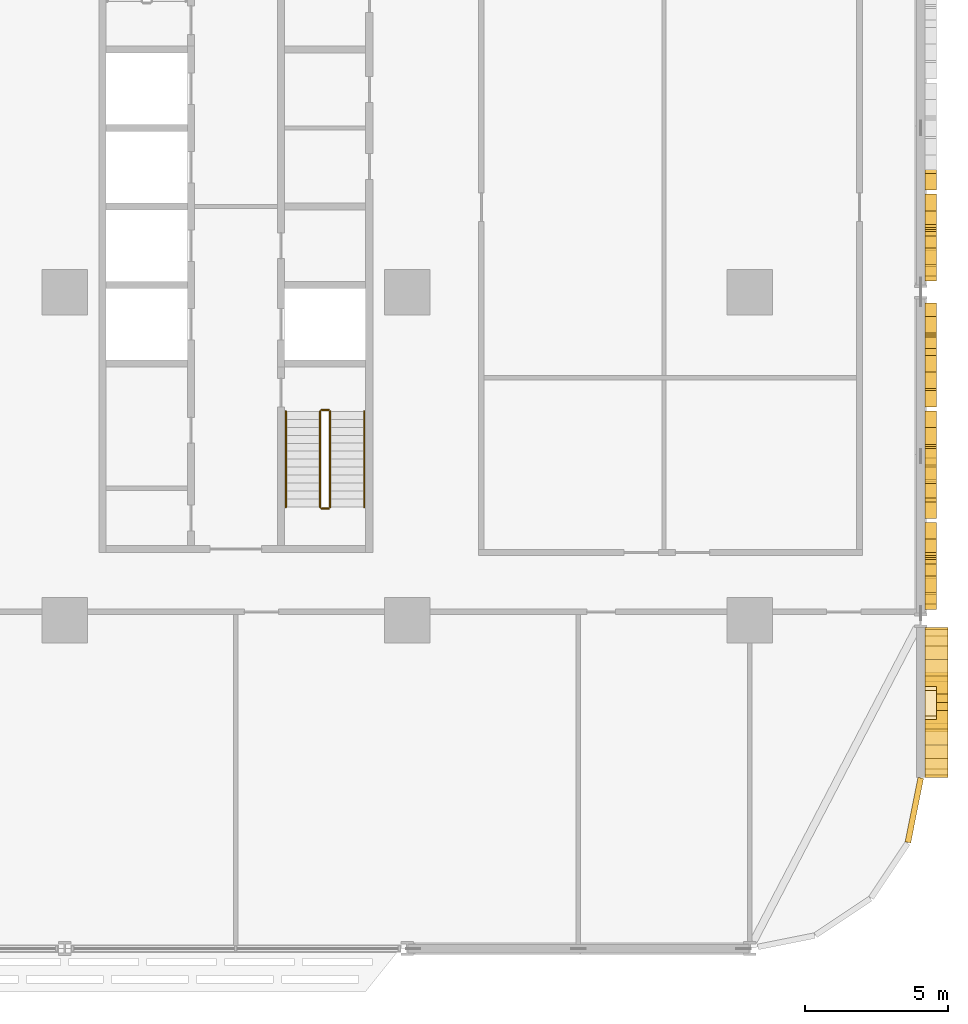
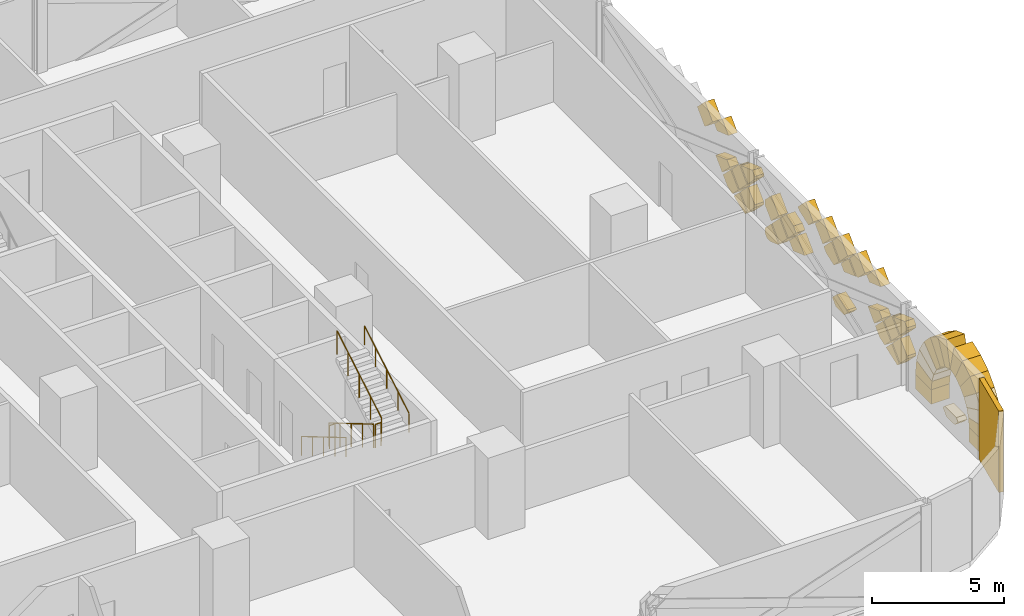
# One storey, part 27 of 29: 43 coverings, 6 railings.
"""IFC4 building model written with IfcOpenShell, lengths in metres."""

from ifc_helpers import new_model, si_unit, direction, frame, origin, origin_2d, place, context, subcontext, project, spatial, polyline, rectangle, circle, outline, extrude, material, layer, layer_set, type_object, element, save


model = new_model("IFC4")

# Units and contexts
model_context = context("Model", 3, precision=1e-05, world=origin(), true_north=direction((0.0, 1.0)))
body_context = subcontext(model_context, "Body", "Model", "MODEL_VIEW")
ifc_project = project(units=[si_unit("LENGTHUNIT", "METRE"), si_unit("AREAUNIT", "SQUARE_METRE"), si_unit("VOLUMEUNIT", "CUBIC_METRE"), si_unit("PLANEANGLEUNIT", "RADIAN"), si_unit("MASSUNIT", "GRAM", prefix="KILO")], contexts=[model_context])

# Site, building, storey
site_placement = place(None, origin())
site = spatial("IfcSite", under=ifc_project, at=site_placement, CompositionType="ELEMENT")
building_placement = place(site_placement, origin())
building = spatial("IfcBuilding", under=site, at=building_placement, Name="Mahtab Terrace Research Tower", CompositionType="ELEMENT")
storey_placement = place(building_placement, frame((0.0, 0.0, 37.300048828125)))
storey = spatial("IfcBuildingStorey", under=building, at=storey_placement, Name="L08", CompositionType="ELEMENT", Elevation=37.300048828125)

# Coverings
ifc_material_1 = material(Name="Black aluminium cladding panel", Category="aluminium")
ifc_layer_1 = layer(ifc_material_1, 0.199951171875)
ifc_layer_set_1 = layer_set([ifc_layer_1], Name="Black metal corner cladding 200")
covering_type_1 = type_object("IfcCoveringType", Name="Black metal corner cladding 200", PredefinedType="CLADDING", material=ifc_layer_set_1)
covering_1_placement = place(storey_placement, frame((47.771484375, -18.14794921875, 0.0), z_axis=(0.0, 0.0, 1.0), x_axis=(0.195212442692, 0.980760981187, 0.0)))
element("IfcCovering", 1, at=covering_1_placement, inside=storey, type_object=covering_type_1, Name="Corner cladding L08 32", PredefinedType="CLADDING", context=body_context, shape_type="SweptSolid", body=[
    extrude(rectangle(XDim=2.30126953125, YDim=0.199951171875, at=origin_2d()), origin(), (0.0, 0.0, 1.0), 3.75),
])
ifc_material_2 = material(Name="Bronze anodised aluminium", Category="aluminium")
ifc_layer_2 = layer(ifc_material_2, 0.39990234375)
ifc_layer_set_2 = layer_set([ifc_layer_2], Name="Mashrabiya relief panel 400")
covering_type_2 = type_object("IfcCoveringType", Name="Mashrabiya relief panel 400", PredefinedType="CLADDING", material=ifc_layer_set_2)
covering_2_placement = place(storey_placement, frame((48.14990234375, -14.97998046875, 0.39990234375), z_axis=(-1.0, 0.0, 0.0), x_axis=(0.0, 0.707106781187, 0.707106781187)))
element("IfcCovering", 2, at=covering_2_placement, inside=storey, type_object=covering_type_2, Name="Mashrabiya lattice cell L08 E33.1", PredefinedType="CLADDING", context=body_context, shape_type="SweptSolid", body=[
    extrude(outline(polyline([(0.0, 0.0), (0.19369477746369784, 0.0), (0.820181718119455, 0.626486940655757), (0.820181718119455, 0.820181718119455), (0.44556704156310534, 0.820181718119455), (0.0, 0.37461467655634967), (0.0, 0.0)])), origin(), (0.0, 0.0, -1.0), 0.39990234375),
])
covering_3_placement = place(storey_placement, frame((48.14990234375, -10.60107421875, 1.6298828125), z_axis=(-1.0, 0.0, 0.0), x_axis=(0.0, 0.707255598772, -0.706957932274)))
element("IfcCovering", 3, at=covering_3_placement, inside=storey, type_object=covering_type_2, Name="Mashrabiya lattice cell L08 E34.1", PredefinedType="CLADDING", context=body_context, shape_type="SweptSolid", body=[
    extrude(outline(polyline([(0.0, 0.0), (0.8201817362875763, 0.0), (0.8200090664636573, 0.8203543334390104), (0.09184101544392964, 0.8202010671685369), (-0.0001532662704735177, 0.7281680510197277), (0.0, 0.0)])), origin(), (0.0, 0.0, -1.0), 0.39990234375),
])
covering_4_placement = place(storey_placement, frame((48.14990234375, -10.60107421875, 1.77001953125), z_axis=(-1.0, 0.0, 0.0), x_axis=(0.0, -0.707106781187, 0.707106781187)))
element("IfcCovering", 4, at=covering_4_placement, inside=storey, type_object=covering_type_2, Name="Mashrabiya lattice cell L08 E34.2", PredefinedType="CLADDING", context=body_context, shape_type="SweptSolid", body=[
    extrude(outline(polyline([(0.0, 0.0), (0.7281680671496235, 0.0), (0.820181718119455, 0.0920136509698315), (0.820181718119455, 0.3506186212377632), (-0.0001726334915005956, 0.7411155790121702), (0.0, 0.0)])), origin(), (0.0, 0.0, -1.0), 0.39990234375),
])
covering_5_placement = place(storey_placement, frame((48.14990234375, -10.531005859375, 0.39990234375), z_axis=(-1.0, 0.0, 0.0), x_axis=(0.0, 0.707106781187, 0.707106781187)))
element("IfcCovering", 5, at=covering_5_placement, inside=storey, type_object=covering_type_2, Name="Mashrabiya lattice cell L08 E34.3", PredefinedType="CLADDING", context=body_context, shape_type="SweptSolid", body=[
    extrude(outline(polyline([(0.0, 0.0), (0.8203543516109556, 0.0), (0.8203543516109555, 0.6011098174051657), (0.0, 0.2106128596307588), (0.0, 0.0)])), origin(), (0.0, 0.0, -1.0), 0.39990234375),
])
covering_6_placement = place(storey_placement, frame((48.14990234375, -9.37109375, 1.699951171875), z_axis=(-1.0, 0.0, 0.0), x_axis=(0.0, -0.706957932274, -0.707255598772)))
element("IfcCovering", 6, at=covering_6_placement, inside=storey, type_object=covering_type_2, Name="Mashrabiya lattice cell L08 E34.4", PredefinedType="CLADDING", context=body_context, shape_type="SweptSolid", body=[
    extrude(outline(polyline([(0.0, 0.0), (0.8201817362875763, 0.0), (0.8200090664636573, 0.8203543334390104), (0.03245509568319316, 0.8201885675011489), (-0.00015864403434978636, 0.7537178071958586), (0.0, 0.0)])), origin(), (0.0, 0.0, -1.0), 0.39990234375),
])
covering_7_placement = place(storey_placement, frame((48.14990234375, -9.881103515625, 1.050048828125), z_axis=(-1.0, 0.0, 0.0), x_axis=(0.0, 0.707255598772, 0.706957932274)))
element("IfcCovering", 7, at=covering_7_placement, inside=storey, type_object=covering_type_2, Name="Mashrabiya lattice cell L08 E34.5", PredefinedType="CLADDING", context=body_context, shape_type="SweptSolid", body=[
    extrude(outline(polyline([(0.0, 0.0), (0.8201817362875763, 0.0), (0.8205270032629295, 0.8201816636150915), (0.3621851298179065, 0.8204507698263591), (0.00013633358151177166, 0.647720845762451), (0.0, 0.0)])), origin(), (0.0, 0.0, -1.0), 0.39990234375),
])
covering_8_placement = place(storey_placement, frame((48.14990234375, -8.65087890625, 1.119873046875), z_axis=(-1.0, 0.0, 0.0), x_axis=(0.0, -0.707106781187, 0.707106781187)))
element("IfcCovering", 8, at=covering_8_placement, inside=storey, type_object=covering_type_2, Name="Mashrabiya lattice cell L08 E34.6", PredefinedType="CLADDING", context=body_context, shape_type="SweptSolid", body=[
    extrude(outline(polyline([(0.0, 0.0), (0.8203543516109556, 0.0), (0.8203543516109555, 0.3055612799561009), (0.0001726334915006511, 0.6958856042390071), (0.0, 0.0)])), origin(), (0.0, 0.0, -1.0), 0.39990234375),
])
covering_9_placement = place(storey_placement, frame((48.14990234375, -8.65087890625, 3.579833984375), z_axis=(-1.0, 0.0, 0.0), x_axis=(0.0, 0.707106781187, -0.707106781187)))
element("IfcCovering", 9, at=covering_9_placement, inside=storey, type_object=covering_type_2, Name="Mashrabiya lattice cell L08 E34.7", PredefinedType="CLADDING", context=body_context, shape_type="SweptSolid", body=[
    extrude(outline(polyline([(0.0, 0.0), (0.8200090846279543, 0.0), (0.820181718119455, 0.28847056429753926), (-0.0001726334915006511, 0.6789675220719462), (0.0, 0.0)])), origin(), (0.0, 0.0, -1.0), 0.39990234375),
])
covering_10_placement = place(storey_placement, frame((48.14990234375, -7.930908203125, 3.0), z_axis=(-1.0, 0.0, 0.0), x_axis=(0.0, 0.707106781187, 0.707106781187)))
element("IfcCovering", 10, at=covering_10_placement, inside=storey, type_object=covering_type_2, Name="Mashrabiya lattice cell L08 E34.8", PredefinedType="CLADDING", context=body_context, shape_type="SweptSolid", body=[
    extrude(outline(polyline([(0.0, 0.0), (0.8200090846279543, 0.0), (0.820181718119455, 0.820181718119455), (0.04937317856917789, 0.8203543516109556), (-0.0001726334915006511, 0.716946890202083), (0.0, 0.0)])), origin(), (0.0, 0.0, -1.0), 0.39990234375),
])
covering_11_placement = place(storey_placement, frame((48.14990234375, -6.700927734375, 2.929931640625), z_axis=(-1.0, 0.0, 0.0), x_axis=(0.0, 0.706957932274, -0.707255598772)))
element("IfcCovering", 11, at=covering_11_placement, inside=storey, type_object=covering_type_2, Name="Mashrabiya lattice cell L08 E34.9", PredefinedType="CLADDING", context=body_context, shape_type="SweptSolid", body=[
    extrude(outline(polyline([(0.0, 0.0), (0.8201817362875763, 0.0), (0.820251937907907, 0.33352789819111284), (0.00015239420065576992, 0.7240248473154902), (0.0, 0.0)])), origin(), (0.0, 0.0, -1.0), 0.39990234375),
])
covering_12_placement = place(storey_placement, frame((48.14990234375, -6.631103515625, 0.39990234375), z_axis=(-1.0, 0.0, 0.0), x_axis=(0.0, 0.708432188712, 0.705778884635)))
element("IfcCovering", 12, at=covering_12_placement, inside=storey, type_object=covering_type_2, Name="Mashrabiya lattice cell L08 E34.10", PredefinedType="CLADDING", context=body_context, shape_type="SweptSolid", body=[
    extrude(outline(polyline([(0.0, 0.0), (0.09201381291480297, 0.0), (0.8210032782144832, 0.3451083171758159), (0.82189203143578, 0.8188137841270318), (0.44710505712662874, 0.8193443153866835), (0.0008757976349805519, 0.3747863265298354), (0.0, 0.0)])), origin(), (0.0, 0.0, -1.0), 0.39990234375),
])
covering_13_placement = place(storey_placement, frame((48.14990234375, -6.051025390625, 3.579833984375), z_axis=(-1.0, 0.0, 0.0), x_axis=(0.0, 0.707255598772, -0.706957932274)))
element("IfcCovering", 13, at=covering_13_placement, inside=storey, type_object=covering_type_2, Name="Mashrabiya lattice cell L08 E34.11", PredefinedType="CLADDING", context=body_context, shape_type="SweptSolid", body=[
    extrude(outline(polyline([(0.0, 0.0), (0.8201817362875763, 0.0), (0.8200090664636573, 0.8203543334390104), (-0.0003452669753531423, 0.8201816636150915), (0.0, 0.0)])), origin(), (0.0, 0.0, -1.0), 0.39990234375),
])
covering_14_placement = place(storey_placement, frame((48.14990234375, -5.98095703125, 2.349853515625), z_axis=(-1.0, 0.0, 0.0), x_axis=(0.0, 0.707106781187, 0.707106781187)))
element("IfcCovering", 14, at=covering_14_placement, inside=storey, type_object=covering_type_2, Name="Mashrabiya lattice cell L08 E34.12", PredefinedType="CLADDING", context=body_context, shape_type="SweptSolid", body=[
    extrude(outline(polyline([(0.0, 0.0), (0.8203543516109556, 0.0), (0.820181718119455, 0.820181718119455), (0.5529450732764921, 0.820181718119455), (0.0001726334915006511, 0.5570882770725071), (0.0, 0.0)])), origin(), (0.0, 0.0, -1.0), 0.39990234375),
])
covering_15_placement = place(storey_placement, frame((48.14990234375, -4.7509765625, 3.579833984375), z_axis=(-1.0, 0.0, 0.0), x_axis=(0.0, 0.707255598772, -0.706957932274)))
element("IfcCovering", 15, at=covering_15_placement, inside=storey, type_object=covering_type_2, Name="Mashrabiya lattice cell L08 E34.13", PredefinedType="CLADDING", context=body_context, shape_type="SweptSolid", body=[
    extrude(outline(polyline([(0.0, 0.0), (0.8201817362875763, 0.0), (0.8200090664636573, 0.8203543334390104), (-0.0003452669753531423, 0.8201816636150915), (0.0, 0.0)])), origin(), (0.0, 0.0, -1.0), 0.39990234375),
])
covering_16_placement = place(storey_placement, frame((48.14990234375, -4.031005859375, 3.0), z_axis=(-1.0, 0.0, 0.0), x_axis=(0.0, 0.707255598772, 0.706957932274)))
element("IfcCovering", 16, at=covering_16_placement, inside=storey, type_object=covering_type_2, Name="Mashrabiya lattice cell L08 E34.14", PredefinedType="CLADDING", context=body_context, shape_type="SweptSolid", body=[
    extrude(outline(polyline([(0.0, 0.0), (0.8201817362875763, 0.0), (0.8203543334390104, 0.8200090664636573), (0.64789351558637, 0.8202179998574987), (0.00010777329497974053, 0.5120309244486754), (0.0, 0.0)])), origin(), (0.0, 0.0, -1.0), 0.39990234375),
])
covering_17_placement = place(storey_placement, frame((48.14990234375, -2.801025390625, 1.6298828125), z_axis=(-1.0, 0.0, 0.0), x_axis=(0.0, 0.707255598772, -0.706957932274)))
element("IfcCovering", 17, at=covering_17_placement, inside=storey, type_object=covering_type_2, Name="Mashrabiya lattice cell L08 E34.15", PredefinedType="CLADDING", context=body_context, shape_type="SweptSolid", body=[
    extrude(outline(polyline([(0.0, 0.0), (0.8201817362875763, 0.0), (0.8200924218037394, 0.4243331127089831), (-0.000171434391677161, 0.8144847948580074), (0.0, 0.0)])), origin(), (0.0, 0.0, -1.0), 0.39990234375),
])
covering_18_placement = place(storey_placement, frame((48.14990234375, -1.571044921875, 1.699951171875), z_axis=(-1.0, 0.0, 0.0), x_axis=(0.0, -0.706957932274, -0.707255598772)))
element("IfcCovering", 18, at=covering_18_placement, inside=storey, type_object=covering_type_2, Name="Mashrabiya lattice cell L08 E34.16", PredefinedType="CLADDING", context=body_context, shape_type="SweptSolid", body=[
    extrude(outline(polyline([(0.0, 0.0), (0.8201817362875763, 0.0), (0.8200090664636573, 0.8203543334390104), (0.5372354136494529, 0.8202948146739475), (-0.00011903753012598717, 0.5655473056284087), (0.0, 0.0)])), origin(), (0.0, 0.0, -1.0), 0.39990234375),
])
covering_19_placement = place(storey_placement, frame((48.14990234375, -1.5009765625, 1.6298828125), z_axis=(-1.0, 0.0, 0.0), x_axis=(0.0, 0.707255598772, -0.706957932274)))
element("IfcCovering", 19, at=covering_19_placement, inside=storey, type_object=covering_type_2, Name="Mashrabiya lattice cell L08 E34.17", PredefinedType="CLADDING", context=body_context, shape_type="SweptSolid", body=[
    extrude(outline(polyline([(0.0, 0.0), (0.8201817362875763, 0.0), (0.8200090664636573, 0.8203543334390104), (-0.0003452669753531423, 0.8201816636150915), (0.0, 0.0)])), origin(), (0.0, 0.0, -1.0), 0.39990234375),
])
covering_20_placement = place(storey_placement, frame((48.14990234375, -1.430908203125, 0.39990234375), z_axis=(-1.0, 0.0, 0.0), x_axis=(0.0, 0.706957932274, 0.707255598772)))
element("IfcCovering", 20, at=covering_20_placement, inside=storey, type_object=covering_type_2, Name="Mashrabiya lattice cell L08 E34.18", PredefinedType="CLADDING", context=body_context, shape_type="SweptSolid", body=[
    extrude(outline(polyline([(0.0, 0.0), (0.8201817362875763, 0.0), (0.8200427138241264, 0.6604957238505165), (0.6601504568751633, 0.8203206860785415), (0.44539439820552335, 0.8202754837929869), (0.2629592091396244, 0.6377634799106391), (-1.7514068840263075e-05, 0.08320934106010165), (0.0, 0.0)])), origin(), (0.0, 0.0, -1.0), 0.39990234375),
])
covering_21_placement = place(storey_placement, frame((48.14990234375, -0.85107421875, 1.119873046875), z_axis=(-1.0, 0.0, 0.0), x_axis=(0.0, -0.706957932274, 0.707255598772)))
element("IfcCovering", 21, at=covering_21_placement, inside=storey, type_object=covering_type_2, Name="Mashrabiya lattice cell L08 E34.19", PredefinedType="CLADDING", context=body_context, shape_type="SweptSolid", body=[
    extrude(outline(polyline([(0.0, 0.0), (0.8201817362875763, 0.0), (0.8205270032629295, 0.8201816636150915), (0.16003127941241302, 0.8203206860785415), (0.00013902246344993374, 0.6604957238505165), (0.0, 0.0)])), origin(), (0.0, 0.0, -1.0), 0.39990234375),
])
covering_22_placement = place(storey_placement, frame((48.14990234375, 0.89892578125, 1.6298828125), z_axis=(-1.0, 0.0, 0.0), x_axis=(0.0, 0.707255598772, -0.706957932274)))
element("IfcCovering", 22, at=covering_22_placement, inside=storey, type_object=covering_type_2, Name="Mashrabiya lattice cell L08 E35.1", PredefinedType="CLADDING", context=body_context, shape_type="SweptSolid", body=[
    extrude(outline(polyline([(0.0, 0.0), (0.8201817362875763, 0.0), (0.8200090664636573, 0.8203543334390104), (0.09184101544392964, 0.8202010671685369), (-0.0001532662704735177, 0.7281680510197277), (0.0, 0.0)])), origin(), (0.0, 0.0, -1.0), 0.39990234375),
])
covering_23_placement = place(storey_placement, frame((48.14990234375, 0.89892578125, 1.77001953125), z_axis=(-1.0, 0.0, 0.0), x_axis=(0.0, -0.707106781187, 0.707106781187)))
element("IfcCovering", 23, at=covering_23_placement, inside=storey, type_object=covering_type_2, Name="Mashrabiya lattice cell L08 E35.2", PredefinedType="CLADDING", context=body_context, shape_type="SweptSolid", body=[
    extrude(outline(polyline([(0.0, 0.0), (0.7281680671496235, 0.0), (0.820181718119455, 0.0920136509698315), (0.820181718119455, 0.3506186212377632), (-0.0001726334915005956, 0.7411155790121702), (0.0, 0.0)])), origin(), (0.0, 0.0, -1.0), 0.39990234375),
])
covering_24_placement = place(storey_placement, frame((48.14990234375, 0.968994140625, 0.39990234375), z_axis=(-1.0, 0.0, 0.0), x_axis=(0.0, 0.707106781187, 0.707106781187)))
element("IfcCovering", 24, at=covering_24_placement, inside=storey, type_object=covering_type_2, Name="Mashrabiya lattice cell L08 E35.3", PredefinedType="CLADDING", context=body_context, shape_type="SweptSolid", body=[
    extrude(outline(polyline([(0.0, 0.0), (0.8203543516109556, 0.0), (0.8203543516109555, 0.6011098174051657), (0.0, 0.2106128596307588), (0.0, 0.0)])), origin(), (0.0, 0.0, -1.0), 0.39990234375),
])
covering_25_placement = place(storey_placement, frame((48.14990234375, 2.12890625, 1.699951171875), z_axis=(-1.0, 0.0, 0.0), x_axis=(0.0, -0.706957932274, -0.707255598772)))
element("IfcCovering", 25, at=covering_25_placement, inside=storey, type_object=covering_type_2, Name="Mashrabiya lattice cell L08 E35.4", PredefinedType="CLADDING", context=body_context, shape_type="SweptSolid", body=[
    extrude(outline(polyline([(0.0, 0.0), (0.8201817362875763, 0.0), (0.8200090664636573, 0.8203543334390104), (0.03245509568319316, 0.8201885675011489), (-0.00015864403434978636, 0.7537178071958586), (0.0, 0.0)])), origin(), (0.0, 0.0, -1.0), 0.39990234375),
])
covering_26_placement = place(storey_placement, frame((48.14990234375, 1.618896484375, 1.050048828125), z_axis=(-1.0, 0.0, 0.0), x_axis=(0.0, 0.707255598772, 0.706957932274)))
element("IfcCovering", 26, at=covering_26_placement, inside=storey, type_object=covering_type_2, Name="Mashrabiya lattice cell L08 E35.5", PredefinedType="CLADDING", context=body_context, shape_type="SweptSolid", body=[
    extrude(outline(polyline([(0.0, 0.0), (0.8201817362875763, 0.0), (0.8205270032629295, 0.8201816636150915), (0.3621851298179065, 0.8204507698263591), (0.00013633358151177166, 0.647720845762451), (0.0, 0.0)])), origin(), (0.0, 0.0, -1.0), 0.39990234375),
])
covering_27_placement = place(storey_placement, frame((48.14990234375, 2.84912109375, 1.119873046875), z_axis=(-1.0, 0.0, 0.0), x_axis=(0.0, -0.707106781187, 0.707106781187)))
element("IfcCovering", 27, at=covering_27_placement, inside=storey, type_object=covering_type_2, Name="Mashrabiya lattice cell L08 E35.6", PredefinedType="CLADDING", context=body_context, shape_type="SweptSolid", body=[
    extrude(outline(polyline([(0.0, 0.0), (0.8203543516109556, 0.0), (0.8203543516109555, 0.3055612799561009), (0.0001726334915006511, 0.6958856042390071), (0.0, 0.0)])), origin(), (0.0, 0.0, -1.0), 0.39990234375),
])
covering_28_placement = place(storey_placement, frame((48.14990234375, 2.84912109375, 3.579833984375), z_axis=(-1.0, 0.0, 0.0), x_axis=(0.0, 0.707106781187, -0.707106781187)))
element("IfcCovering", 28, at=covering_28_placement, inside=storey, type_object=covering_type_2, Name="Mashrabiya lattice cell L08 E35.7", PredefinedType="CLADDING", context=body_context, shape_type="SweptSolid", body=[
    extrude(outline(polyline([(0.0, 0.0), (0.8200090846279543, 0.0), (0.820181718119455, 0.28847056429753926), (-0.0001726334915006511, 0.6789675220719462), (0.0, 0.0)])), origin(), (0.0, 0.0, -1.0), 0.39990234375),
])
covering_29_placement = place(storey_placement, frame((48.14990234375, 3.569091796875, 3.0), z_axis=(-1.0, 0.0, 0.0), x_axis=(0.0, 0.707106781187, 0.707106781187)))
element("IfcCovering", 29, at=covering_29_placement, inside=storey, type_object=covering_type_2, Name="Mashrabiya lattice cell L08 E35.8", PredefinedType="CLADDING", context=body_context, shape_type="SweptSolid", body=[
    extrude(outline(polyline([(0.0, 0.0), (0.8200090846279543, 0.0), (0.820181718119455, 0.820181718119455), (0.04937317856917789, 0.8203543516109556), (-0.0001726334915006511, 0.716946890202083), (0.0, 0.0)])), origin(), (0.0, 0.0, -1.0), 0.39990234375),
])
ifc_material_3 = material(Name="Glazed ceramic tile cladding", Category="masonry")
ifc_layer_3 = layer(ifc_material_3, 0.800048828125)
ifc_layer_set_3 = layer_set([ifc_layer_3], Name="Pishtaq frame arch course 800")
covering_type_3 = type_object("IfcCoveringType", Name="Pishtaq frame arch course 800", PredefinedType="CLADDING", material=ifc_layer_set_3)
covering_30_placement = place(storey_placement, frame((48.14990234375, -17.0, 0.671875), z_axis=(-1.0, 0.0, 0.0), x_axis=(0.0, 0.110195146614, 0.993909970602)))
element("IfcCovering", 30, at=covering_30_placement, inside=storey, type_object=covering_type_3, Name="Pishtaq frame arch course 33a1", PredefinedType="CLADDING", context=body_context, shape_type="SweptSolid", body=[
    extrude(outline(polyline([(0.0, 0.0), (0.6801676314961773, -1.3877787807814457e-17), (0.5478837154732193, 1.1929849369831025), (0.13222879531472717, 1.1926434339624739), (0.0, 0.0)])), origin(), (0.0, 0.0, -1.0), 0.800048828125),
])
covering_31_placement = place(storey_placement, frame((48.14990234375, -16.925048828125, 1.347900390625), z_axis=(-1.0, 0.0, 0.0), x_axis=(0.0, 0.325381198062, 0.945582929175)))
element("IfcCovering", 31, at=covering_31_placement, inside=storey, type_object=covering_type_3, Name="Pishtaq frame arch course 33a2", PredefinedType="CLADDING", context=body_context, shape_type="SweptSolid", body=[
    extrude(outline(polyline([(0.0, 0.0), (0.6790412812444202, 0.0), (0.5471198191324367, 1.1930522503204535), (0.1324367168902943, 1.1929679837809), (0.0, 0.0)])), origin(), (0.0, 0.0, -1.0), 0.800048828125),
])
covering_32_placement = place(storey_placement, frame((48.14990234375, -16.7041015625, 1.989990234375), z_axis=(-1.0, 0.0, 0.0), x_axis=(0.0, 0.525118389187, 0.851029187124)))
element("IfcCovering", 32, at=covering_32_placement, inside=storey, type_object=covering_type_3, Name="Pishtaq frame arch course 33a3", PredefinedType="CLADDING", context=body_context, shape_type="SweptSolid", body=[
    extrude(outline(polyline([(0.0, 0.0), (0.6801851577276807, 0.0), (0.548048538751886, 1.1931815098086673), (0.13333469672581727, 1.1928951348754406), (0.0, 0.0)])), origin(), (0.0, 0.0, -1.0), 0.800048828125),
])
covering_33_placement = place(storey_placement, frame((48.14990234375, -16.346923828125, 2.56884765625), z_axis=(-1.0, 0.0, 0.0), x_axis=(0.0, 0.698795108876, 0.715321882659)))
element("IfcCovering", 33, at=covering_33_placement, inside=storey, type_object=covering_type_3, Name="Pishtaq frame arch course 33a4", PredefinedType="CLADDING", context=body_context, shape_type="SweptSolid", body=[
    extrude(outline(polyline([(0.0, 0.0), (0.6795318249848916, 0.0), (0.5475020101360037, 1.1928170207729754), (0.1324589131067181, 1.1931457738944693), (0.0, 0.0)])), origin(), (0.0, 0.0, -1.0), 0.800048828125),
])
covering_34_placement = place(storey_placement, frame((48.14990234375, -15.8720703125, 3.054931640625), z_axis=(-1.0, 0.0, 0.0), x_axis=(0.0, 0.837646339472, 0.546212971256)))
element("IfcCovering", 34, at=covering_34_placement, inside=storey, type_object=covering_type_3, Name="Pishtaq frame arch course 33a5", PredefinedType="CLADDING", context=body_context, shape_type="SweptSolid", body=[
    extrude(outline(polyline([(0.0, 0.0), (0.6793938802782071, -5.551115123125783e-17), (0.5448521588144233, 1.193235816043659), (0.13056350986106346, 1.192978410092785), (0.0, 0.0)])), origin(), (0.0, 0.0, -1.0), 0.800048828125),
])
covering_35_placement = place(storey_placement, frame((48.14990234375, -15.302978515625, 3.426025390625), z_axis=(-1.0, 0.0, 0.0), x_axis=(0.0, 0.937956433213, 0.346753124563)))
element("IfcCovering", 35, at=covering_35_placement, inside=storey, type_object=covering_type_3, Name="Pishtaq frame arch course 33a6", PredefinedType="CLADDING", context=body_context, shape_type="SweptSolid", body=[
    extrude(outline(polyline([(0.0, 0.0), (0.6801376167757879, 0.0), (0.5486239687933818, 1.1921828684344342), (0.13355171437471614, 1.193347027101249), (0.0, 0.0)])), origin(), (0.0, 0.0, -1.0), 0.800048828125),
])
covering_36_placement = place(storey_placement, frame((48.14990234375, -12.948974609375, 0.671875), z_axis=(-1.0, 0.0, 0.0), x_axis=(0.0, -0.111011707821, 0.993819098592)))
element("IfcCovering", 36, at=covering_36_placement, inside=storey, type_object=covering_type_3, Name="Pishtaq frame arch course 33b1", PredefinedType="CLADDING", context=body_context, shape_type="SweptSolid", body=[
    extrude(outline(polyline([(0.0, 0.0), (0.4156550604482948, 0.0), (0.5469587730372103, 1.1930932190601509), (-0.13320862889221355, 1.1925343919874354), (0.0, 0.0)])), origin(), (0.0, 0.0, -1.0), 0.800048828125),
])
covering_37_placement = place(storey_placement, frame((48.14990234375, -12.9951171875, 1.0849609375), z_axis=(-1.0, 0.0, 0.0), x_axis=(0.0, -0.32504685426, 0.945697912938)))
element("IfcCovering", 37, at=covering_37_placement, inside=storey, type_object=covering_type_3, Name="Pishtaq frame arch course 33b2", PredefinedType="CLADDING", context=body_context, shape_type="SweptSolid", body=[
    extrude(outline(polyline([(0.0, 0.0), (0.4146036893872751, 0.0), (0.5470263199416652, 1.1927746498773808), (-0.13201491886028338, 1.1930147339849826), (0.0, 0.0)])), origin(), (0.0, 0.0, -1.0), 0.800048828125),
])
covering_38_placement = place(storey_placement, frame((48.14990234375, -13.1298828125, 1.47705078125), z_axis=(-1.0, 0.0, 0.0), x_axis=(0.0, -0.525705930335, 0.850666371035)))
element("IfcCovering", 38, at=covering_38_placement, inside=storey, type_object=covering_type_3, Name="Pishtaq frame arch course 33b3", PredefinedType="CLADDING", context=body_context, shape_type="SweptSolid", body=[
    extrude(outline(polyline([(0.0, 0.0), (0.41471394090219044, 0.0), (0.546154939682669, 1.1930647882118013), (-0.13403005587522704, 1.1925950958288971), (0.0, 0.0)])), origin(), (0.0, 0.0, -1.0), 0.800048828125),
])
covering_39_placement = place(storey_placement, frame((48.14990234375, -13.347900390625, 1.829833984375), z_axis=(-1.0, 0.0, 0.0), x_axis=(0.0, -0.698529556251, 0.715581203668)))
element("IfcCovering", 39, at=covering_39_placement, inside=storey, type_object=covering_type_3, Name="Pishtaq frame arch course 33b4", PredefinedType="CLADDING", context=body_context, shape_type="SweptSolid", body=[
    extrude(outline(polyline([(0.0, 0.0), (0.41521372990499417, -2.7755575615628914e-17), (0.5476862709957149, 1.1927679333850807), (-0.13184550718112786, 1.193020153755766), (0.0, 0.0)])), origin(), (0.0, 0.0, -1.0), 0.800048828125),
])
covering_40_placement = place(storey_placement, frame((48.14990234375, -13.637939453125, 2.126953125), z_axis=(-1.0, 0.0, 0.0), x_axis=(0.0, -0.837985550936, 0.545692419245)))
element("IfcCovering", 40, at=covering_40_placement, inside=storey, type_object=covering_type_3, Name="Pishtaq frame arch course 33b5", PredefinedType="CLADDING", context=body_context, shape_type="SweptSolid", body=[
    extrude(outline(polyline([(0.0, 0.0), (0.4142887289191245, 0.0), (0.5480890429123778, 1.1933191792136424), (-0.13130470622962576, 1.1928970580803275), (0.0, 0.0)])), origin(), (0.0, 0.0, -1.0), 0.800048828125),
])
covering_41_placement = place(storey_placement, frame((48.14990234375, -13.985107421875, 2.35302734375), z_axis=(-1.0, 0.0, 0.0), x_axis=(0.0, -0.937266452754, 0.3486138215)))
element("IfcCovering", 41, at=covering_41_placement, inside=storey, type_object=covering_type_3, Name="Pishtaq frame arch course 33b6", PredefinedType="CLADDING", context=body_context, shape_type="SweptSolid", body=[
    extrude(outline(polyline([(0.0, 0.0), (0.4159890466357606, 0.0), (0.5489530298899377, 1.1922599744894735), (-0.131183247604382, 1.1936097113595308), (0.0, 0.0)])), origin(), (0.0, 0.0, -1.0), 0.800048828125),
])
ifc_layer_4 = layer(ifc_material_3, 0.800048828125)
ifc_layer_set_4 = layer_set([ifc_layer_4], Name="Pishtaq frame pier 800")
covering_type_4 = type_object("IfcCoveringType", Name="Pishtaq frame pier 800", PredefinedType="CLADDING", material=ifc_layer_set_4)
for number, where, z_axis, x_axis, name in (
    (42, (48.550048828125, -16.39990234375, 0.0), (0.0, 0.0, 1.0), (0.0, 1.0, 0.0), "Pishtaq frame pier 33a"),
    (43, (48.550048828125, -12.34912109375, 0.0), (0.0, 0.0, 1.0), (0.0, 1.0, 0.0), "Pishtaq frame pier 33b"),
):
    element("IfcCovering", number, at=place(storey_placement, frame(where, z_axis=z_axis, x_axis=x_axis)), inside=storey, type_object=covering_type_4, Name=name, PredefinedType="CLADDING", context=body_context, shape_type="SweptSolid", body=[
        extrude(rectangle(XDim=1.199951171875, YDim=0.800048828125, at=origin_2d()), origin(), (0.0, 0.0, 1.0), 0.672119140625),
    ])

# Railings
ifc_material_4 = material(Name="Stainless steel AISI 304", Category="steel")
railing_type_1 = type_object("IfcRailingType", Name="Stair guard 1100", PredefinedType="GUARDRAIL", material=ifc_material_4)
railing_1_placement = place(storey_placement, frame((26.949951171875, -4.175048828125, 0.165283203125)))
element("IfcRailing", 44, at=railing_1_placement, inside=storey, type_object=railing_type_1, Name="L08 ST4 stair guard 1", PredefinedType="GUARDRAIL", context=body_context, shape_type="SweptSolid", body=[
    extrude(circle(Radius=0.02392578125, at=origin_2d()), frame((0.0, 0.0, 1.076171875), z_axis=(0.0, -0.861011212953, 0.508585972249), x_axis=(1.0, 0.0, 0.0)), (0.0, 0.0, 1.0), 3.90234375),
    extrude(circle(Radius=0.02099609375, at=origin_2d()), origin(), (0.0, 0.0, 1.0), 1.052001953125),
    extrude(circle(Radius=0.02099609375, at=origin_2d()), frame((0.0, -0.83984375, 0.49609375)), (0.0, 0.0, 1.0), 1.052001953125),
    extrude(circle(Radius=0.02099609375, at=origin_2d()), frame((0.0, -1.679931640625, 0.9921875)), (0.0, 0.0, 1.0), 1.052001953125),
    extrude(circle(Radius=0.02099609375, at=origin_2d()), frame((0.0, -2.52001953125, 1.488525390625)), (0.0, 0.0, 1.0), 1.052001953125),
    extrude(circle(Radius=0.02099609375, at=origin_2d()), frame((0.0, -3.35986328125, 1.984619140625)), (0.0, 0.0, 1.0), 1.052001953125),
])
railing_2_placement = place(storey_placement, frame((27.0, -7.5849609375, 2.14990234375)))
element("IfcRailing", 45, at=railing_2_placement, inside=storey, type_object=railing_type_1, Name="L08 ST4 stair guard 2", PredefinedType="GUARDRAIL", context=body_context, shape_type="SweptSolid", body=[
    extrude(circle(Radius=0.02392578125, at=origin_2d()), frame((0.0, 0.0, 1.076171875), z_axis=(1.0, 0.0, 0.0), x_axis=(0.0, 1.0, 0.0)), (0.0, 0.0, 1.0), 0.25),
    extrude(circle(Radius=0.02099609375, at=origin_2d()), origin(), (0.0, 0.0, 1.0), 1.052001953125),
    extrude(circle(Radius=0.02099609375, at=origin_2d()), frame((0.25, 0.0, 0.0)), (0.0, 0.0, 1.0), 1.052001953125),
])
railing_3_placement = place(storey_placement, frame((27.300048828125, -7.534912109375, 2.3154296875)))
element("IfcRailing", 46, at=railing_3_placement, inside=storey, type_object=railing_type_1, Name="L08 ST4 stair guard 3", PredefinedType="GUARDRAIL", context=body_context, shape_type="SweptSolid", body=[
    extrude(circle(Radius=0.02392578125, at=origin_2d()), frame((0.0, 0.0, 1.076171875), z_axis=(0.0, 0.861011212953, 0.508585972249), x_axis=(-1.0, 0.0, 0.0)), (0.0, 0.0, 1.0), 3.90234375),
    extrude(circle(Radius=0.02099609375, at=origin_2d()), origin(), (0.0, 0.0, 1.0), 1.052001953125),
    extrude(circle(Radius=0.02099609375, at=origin_2d()), frame((0.0, 0.83984375, 0.49609375)), (0.0, 0.0, 1.0), 1.052001953125),
    extrude(circle(Radius=0.02099609375, at=origin_2d()), frame((0.0, 1.679931640625, 0.9921875)), (0.0, 0.0, 1.0), 1.052001953125),
    extrude(circle(Radius=0.02099609375, at=origin_2d()), frame((0.0, 2.52001953125, 1.488525390625)), (0.0, 0.0, 1.0), 1.052001953125),
    extrude(circle(Radius=0.02099609375, at=origin_2d()), frame((0.0, 3.35986328125, 1.984619140625)), (0.0, 0.0, 1.0), 1.052001953125),
])
railing_4_placement = place(storey_placement, frame((27.0, -4.125, 0.0)))
element("IfcRailing", 47, at=railing_4_placement, inside=storey, type_object=railing_type_1, Name="L08 ST4 stair guard 4", PredefinedType="GUARDRAIL", context=body_context, shape_type="SweptSolid", body=[
    extrude(circle(Radius=0.02392578125, at=origin_2d()), frame((0.0, 0.0, 1.076171875), z_axis=(1.0, 0.0, 0.0), x_axis=(0.0, 1.0, 0.0)), (0.0, 0.0, 1.0), 0.25),
    extrude(circle(Radius=0.02099609375, at=origin_2d()), origin(), (0.0, 0.0, 1.0), 1.052001953125),
    extrude(circle(Radius=0.02099609375, at=origin_2d()), frame((0.25, 0.0, 0.0)), (0.0, 0.0, 1.0), 1.052001953125),
])
railing_type_2 = type_object("IfcRailingType", Name="Stair handrail 900", PredefinedType="HANDRAIL", material=ifc_material_4)
railing_5_placement = place(storey_placement, frame((25.75, -4.175048828125, 0.165283203125)))
element("IfcRailing", 48, at=railing_5_placement, inside=storey, type_object=railing_type_2, Name="L08 ST4 stair handrail 1", PredefinedType="HANDRAIL", context=body_context, shape_type="SweptSolid", body=[
    extrude(circle(Radius=0.02392578125, at=origin_2d()), frame((0.0, 0.0, 0.8759765625), z_axis=(0.0, -0.861011212953, 0.508585972249), x_axis=(1.0, 0.0, 0.0)), (0.0, 0.0, 1.0), 3.90234375),
    extrude(circle(Radius=0.02099609375, at=origin_2d()), origin(), (0.0, 0.0, 1.0), 0.851806640625),
    extrude(circle(Radius=0.02099609375, at=origin_2d()), frame((0.0, -0.83984375, 0.49609375)), (0.0, 0.0, 1.0), 0.851806640625),
    extrude(circle(Radius=0.02099609375, at=origin_2d()), frame((0.0, -1.679931640625, 0.9921875)), (0.0, 0.0, 1.0), 0.851806640625),
    extrude(circle(Radius=0.02099609375, at=origin_2d()), frame((0.0, -2.52001953125, 1.488525390625)), (0.0, 0.0, 1.0), 0.851806640625),
    extrude(circle(Radius=0.02099609375, at=origin_2d()), frame((0.0, -3.35986328125, 1.984619140625)), (0.0, 0.0, 1.0), 0.851806640625),
])
railing_6_placement = place(storey_placement, frame((28.5, -7.534912109375, 2.3154296875)))
element("IfcRailing", 49, at=railing_6_placement, inside=storey, type_object=railing_type_2, Name="L08 ST4 stair handrail 2", PredefinedType="HANDRAIL", context=body_context, shape_type="SweptSolid", body=[
    extrude(circle(Radius=0.02392578125, at=origin_2d()), frame((0.0, 0.0, 0.8759765625), z_axis=(0.0, 0.861011212953, 0.508585972249), x_axis=(-1.0, 0.0, 0.0)), (0.0, 0.0, 1.0), 3.90234375),
    extrude(circle(Radius=0.02099609375, at=origin_2d()), origin(), (0.0, 0.0, 1.0), 0.851806640625),
    extrude(circle(Radius=0.02099609375, at=origin_2d()), frame((0.0, 0.83984375, 0.49609375)), (0.0, 0.0, 1.0), 0.851806640625),
    extrude(circle(Radius=0.02099609375, at=origin_2d()), frame((0.0, 1.679931640625, 0.9921875)), (0.0, 0.0, 1.0), 0.851806640625),
    extrude(circle(Radius=0.02099609375, at=origin_2d()), frame((0.0, 2.52001953125, 1.488525390625)), (0.0, 0.0, 1.0), 0.851806640625),
    extrude(circle(Radius=0.02099609375, at=origin_2d()), frame((0.0, 3.35986328125, 1.984619140625)), (0.0, 0.0, 1.0), 0.851806640625),
])

save(model, "model.ifc")
